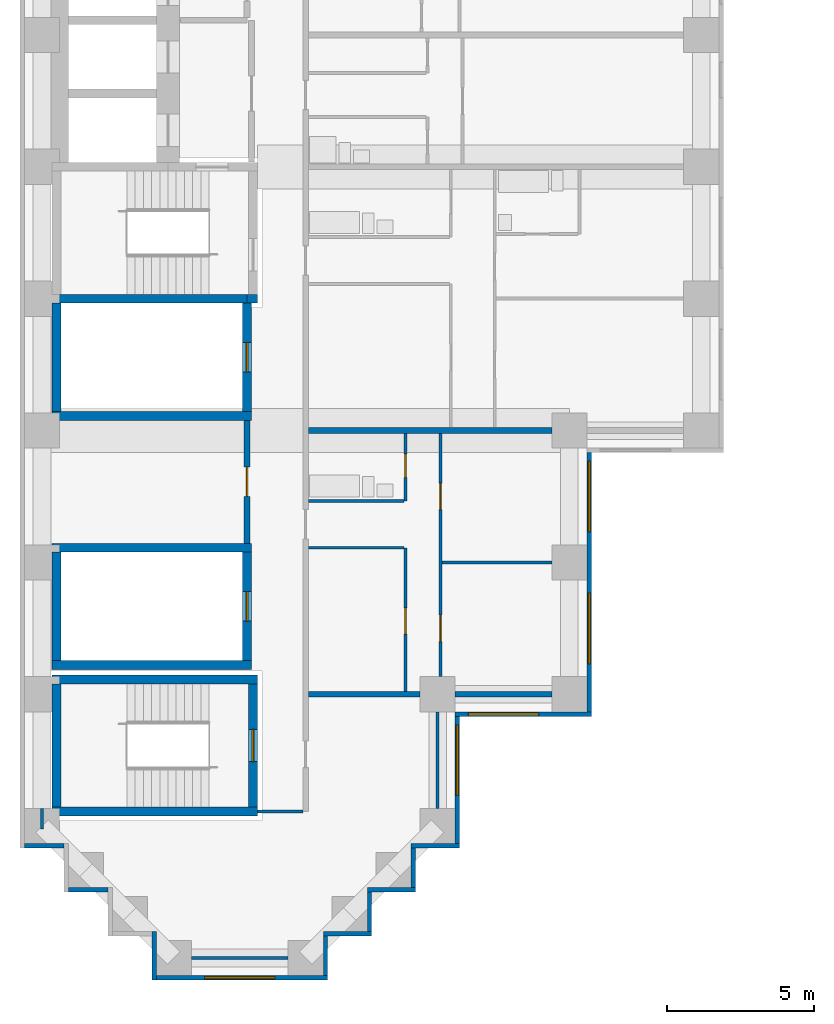
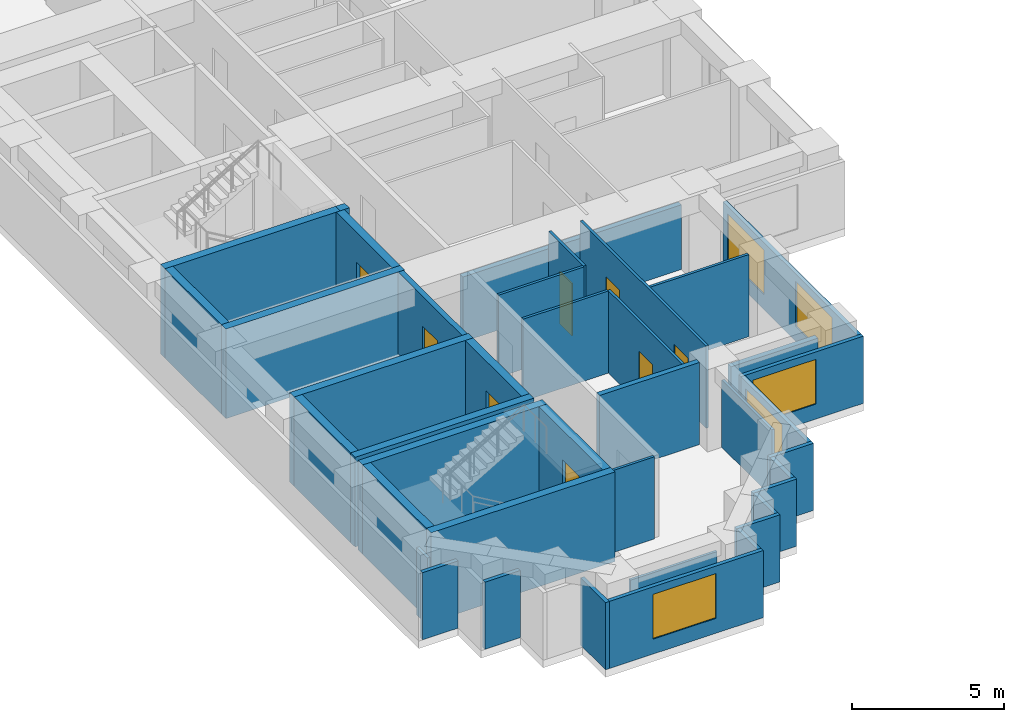
# One storey, part 2 of 11: 40 walls, 8 doors, 5 windows, 13 openings.
"""IFC4 building model written with IfcOpenShell, lengths in metres."""

import ifcopenshell
import ifcopenshell.guid

model = None  # the IFC model being written
_history = None  # IfcOwnerHistory: only IFC2X3 demands one
_inside = {}  # id of a spatial element -> (the spatial element, [elements in it])
_under = {}  # id of a project, library or spatial element -> (it, [spatial elements below it])
_declared = {}  # id of a project -> (the project, [libraries it declares])
_typed = {}  # id of a type object -> (the type object, [elements of that type])
_made_of = {}  # id of a material, layer set ... -> (it, [elements and type objects made of it])


def new_model(schema):
    """Start an empty IFC model of exactly this schema.

    Asked for "IFC4X3", IfcOpenShell would pick the latest addendum, in which some entities
    have other attributes; the version numbers below select the first issue.
    IFC2X3 requires an IfcOwnerHistory on every rooted entity: one is made here for all.
    """
    global model, _history
    if schema == "IFC4X3":
        model = ifcopenshell.file(schema_version=(4, 3, 0, 0))
    else:
        model = ifcopenshell.file(schema=schema)
    _inside.clear()
    _under.clear()
    _declared.clear()
    _typed.clear()
    _made_of.clear()
    _history = None
    if model.schema == "IFC2X3":
        org = make("IfcOrganization", Name="unknown")
        user = make(
            "IfcPersonAndOrganization",
            ThePerson=make("IfcPerson", FamilyName="unknown"),
            TheOrganization=org,
        )
        app = make(
            "IfcApplication",
            ApplicationDeveloper=org,
            Version="unknown",
            ApplicationFullName="unknown",
            ApplicationIdentifier="unknown",
        )
        _history = make(
            "IfcOwnerHistory",
            OwningUser=user,
            OwningApplication=app,
            ChangeAction="ADDED",
            CreationDate=0,
        )
    return model


def make(cls, **values):
    """One entity of the class cls with the attributes given. An attribute that is None is left unset."""
    return model.create_entity(
        cls, **{name: value for name, value in values.items() if value is not None}
    )


def rooted(cls, **values):
    """An entity with a GlobalId (a new one), such as an element, a storey or a relation."""
    return make(cls, GlobalId=ifcopenshell.guid.new(), OwnerHistory=_history, **values)


def si_unit(unit_type, name, prefix=None):
    """IfcSIUnit, for example si_unit("LENGTHUNIT", "METRE", prefix="MILLI")."""
    return make("IfcSIUnit", UnitType=unit_type, Prefix=prefix, Name=name)


def assignment(units):
    """IfcUnitAssignment: the units of a project."""
    return None if units is None else make("IfcUnitAssignment", Units=units)


def point(xyz):
    """IfcCartesianPoint."""
    return None if xyz is None else make("IfcCartesianPoint", Coordinates=xyz)


def direction(xyz):
    """IfcDirection."""
    return None if xyz is None else make("IfcDirection", DirectionRatios=xyz)


def frame(location, z_axis=None, x_axis=None):
    """IfcAxis2Placement3D, a coordinate frame: its origin and axes. An axis left out is left unset."""
    return make(
        "IfcAxis2Placement3D",
        Location=point(location),
        Axis=direction(z_axis),
        RefDirection=direction(x_axis),
    )


def frame_2d(location, x_axis=None):
    """IfcAxis2Placement2D, a coordinate frame in the plane: its origin and x axis."""
    return make(
        "IfcAxis2Placement2D", Location=point(location), RefDirection=direction(x_axis)
    )


def origin():
    """The frame at (0, 0, 0) with its axes left unset."""
    return frame((0.0, 0.0, 0.0))


def place(relative_to, where):
    """IfcLocalPlacement: puts the frame where relative to a parent placement (None: the world)."""
    return make(
        "IfcLocalPlacement", PlacementRelTo=relative_to, RelativePlacement=where
    )


def context(
    kind, dimensions, precision=None, world=None, true_north=None, identifier=None
):
    """IfcGeometricRepresentationContext, for example the 3D "Model" context."""
    return make(
        "IfcGeometricRepresentationContext",
        ContextIdentifier=identifier,
        ContextType=kind,
        CoordinateSpaceDimension=dimensions,
        Precision=precision,
        WorldCoordinateSystem=world,
        TrueNorth=true_north,
    )


def subcontext(parent, identifier, kind, view, scale=None):
    """IfcGeometricRepresentationSubContext, for example "Body" below "Model"."""
    return make(
        "IfcGeometricRepresentationSubContext",
        ContextIdentifier=identifier,
        ContextType=kind,
        ParentContext=parent,
        TargetScale=scale,
        TargetView=view,
    )


def project(units=None, contexts=None):
    """IfcProject with its units and contexts."""
    return rooted(
        "IfcProject",
        Name="project",
        RepresentationContexts=contexts,
        UnitsInContext=assignment(units),
    )


def spatial(cls, under=None, at=None, **own):
    """A site, building, storey or space (cls), placed at a placement, below another one or the project."""
    s = rooted(cls, ObjectPlacement=at, **own)
    if under is not None:
        _under.setdefault(under.id(), (under, []))[1].append(s)
    return s


def profile(cls, at=None, kind="AREA", **sizes):
    """A parametric profile (cls). Its sizes go by their IFC names, for example OverallWidth=200.0."""
    return make(cls, ProfileType=kind, Position=at, **sizes)


def rectangle(**sizes):
    """IfcRectangleProfileDef."""
    return profile("IfcRectangleProfileDef", **sizes)


def extrude(swept, where, along, depth):
    """IfcExtrudedAreaSolid: the profile swept, set in the frame where, extruded along a direction by depth."""
    return make(
        "IfcExtrudedAreaSolid",
        SweptArea=swept,
        Position=where,
        ExtrudedDirection=direction(along),
        Depth=depth,
    )


def shape(context_of_items, identifier, shape_type, items):
    """IfcShapeRepresentation: the items that make up one representation, for example the "Body"."""
    return make(
        "IfcShapeRepresentation",
        ContextOfItems=context_of_items,
        RepresentationIdentifier=identifier,
        RepresentationType=shape_type,
        Items=items,
    )


def material(Name=None, Category=None):
    """IfcMaterial."""
    return make("IfcMaterial", Name=Name, Category=Category)


def layer(
    of_material, thickness, ventilated=None, Name=None, Category=None, Priority=None
):
    """IfcMaterialLayer: one layer of a wall or slab, of a material (None: an air gap)."""
    return make(
        "IfcMaterialLayer",
        Material=of_material,
        LayerThickness=thickness,
        IsVentilated=ventilated,
        Name=Name,
        Category=Category,
        Priority=Priority,
    )


def layer_set(layers, Name=None):
    """IfcMaterialLayerSet."""
    return make("IfcMaterialLayerSet", MaterialLayers=layers, LayerSetName=Name)


def made_of(thing, what):
    """Note that an element or type object is made of a material, layer set ...; save() writes the relation."""
    if what is not None:
        _made_of.setdefault(what.id(), (what, []))[1].append(thing)
    return thing


def type_object(cls, material=None, **own):
    """A type object (cls), such as IfcWallType, which elements share."""
    return made_of(rooted(cls, **own), material)


def element(
    cls,
    number,
    at=None,
    inside=None,
    cuts=None,
    type_object=None,
    material=None,
    context=None,
    identifier="Body",
    shape_type=None,
    held_by="IfcProductDefinitionShape",
    body=None,
    shapes=None,
    **own,
):
    """One element of the class cls, such as IfcWall. Its Tag is "e" and its number.

    at: its placement. inside: the storey or other place that contains it. cuts: it is an
    opening in that element (IfcRelVoidsElement). A single representation is given by context,
    identifier, shape_type and body (its items); several are given by shapes. held_by: the class
    of the entity that holds the representations. save() writes the other relations.
    """
    e = rooted(cls, Tag="e%d" % number, ObjectPlacement=at, **own)
    if body is not None:
        shapes = [shape(context, identifier, shape_type, body)]
    if shapes is not None:
        e.Representation = make(held_by, Representations=shapes)
    if inside is not None:
        _inside.setdefault(inside.id(), (inside, []))[1].append(e)
    if cuts is not None:
        rooted(
            "IfcRelVoidsElement", RelatingBuildingElement=cuts, RelatedOpeningElement=e
        )
    if type_object is not None:
        _typed.setdefault(type_object.id(), (type_object, []))[1].append(e)
    return made_of(e, material)


def fill(opening, filler):
    """IfcRelFillsElement: the door or window that sits in an opening."""
    return rooted(
        "IfcRelFillsElement",
        RelatingOpeningElement=opening,
        RelatedBuildingElement=filler,
    )


def aggregate(whole, parts):
    """IfcRelAggregates: a whole, such as a stair, and the parts it consists of."""
    return rooted("IfcRelAggregates", RelatingObject=whole, RelatedObjects=parts)


def save(model, path):
    """Write the relations noted so far, then the file.

    IfcRelAggregates (storeys below a building ...), IfcRelContainedInSpatialStructure (elements
    in a storey), IfcRelDefinesByType, IfcRelAssociatesMaterial and IfcRelDeclares: one each for
    every whole, place, type object, material and project.
    """
    for whole, parts in _under.values():
        aggregate(whole, parts)
    for where, things in _inside.values():
        rooted(
            "IfcRelContainedInSpatialStructure",
            RelatedElements=things,
            RelatingStructure=where,
        )
    for kind, things in _typed.values():
        rooted("IfcRelDefinesByType", RelatedObjects=things, RelatingType=kind)
    for what, things in _made_of.values():
        rooted("IfcRelAssociatesMaterial", RelatedObjects=things, RelatingMaterial=what)
    for by, libraries in _declared.values():
        rooted("IfcRelDeclares", RelatingContext=by, RelatedDefinitions=libraries)
    model.write(path)


model = new_model("IFC4")

# Units and contexts
model_context = context("Model", 3, precision=1e-05, world=origin(), true_north=direction((0.0, 1.0)))
body_context = subcontext(model_context, "Body", "Model", "MODEL_VIEW")
ifc_project = project(units=[si_unit("LENGTHUNIT", "METRE"), si_unit("AREAUNIT", "SQUARE_METRE"), si_unit("VOLUMEUNIT", "CUBIC_METRE"), si_unit("PLANEANGLEUNIT", "RADIAN"), si_unit("MASSUNIT", "GRAM", prefix="KILO")], contexts=[model_context])

# Site, building, storey
site_placement = place(None, origin())
site = spatial("IfcSite", under=ifc_project, at=site_placement, CompositionType="ELEMENT")
building_placement = place(site_placement, origin())
building = spatial("IfcBuilding", under=site, at=building_placement, Name="Firuza Court", CompositionType="ELEMENT")
storey_placement = place(building_placement, frame((0.0, 0.0, 61.39990234375)))
storey = spatial("IfcBuildingStorey", under=building, at=storey_placement, Name="L14", CompositionType="ELEMENT", Elevation=61.39990234375)

# Walls
ifc_material_1 = material(Name="Moisture-resistant gypsum board partition")
ifc_layer_1 = layer(ifc_material_1, 0.10009765625)
ifc_layer_set_1 = layer_set([ifc_layer_1], Name="Moisture-resistant gypsum board partition")
wall_type_1 = type_object("IfcWallType", Name="Bathroom partition 100", PredefinedType="PLUMBINGWALL", material=ifc_layer_set_1)
wall_1_placement = place(storey_placement, frame((9.10009765625, 15.60009765625, 0.0), z_axis=(0.0, 0.0, 1.0), x_axis=(1.0, 0.0, 0.0)))
element("IfcWall", 1, at=wall_1_placement, inside=storey, type_object=wall_type_1, Name="Bathroom partition 100 L14", PredefinedType="PLUMBINGWALL", context=body_context, shape_type="SweptSolid", body=[
    extrude(rectangle(XDim=3.25, YDim=0.10009765625, at=frame_2d((1.625, 0.0))), origin(), (0.0, 0.0, 1.0), 3.300048828125),
])
ifc_material_2 = material(Name="Concrete C60/75", Category="concrete")
ifc_layer_2 = layer(ifc_material_2, 0.300048828125)
ifc_layer_set_2 = layer_set([ifc_layer_2], Name="Concrete C60/75")
wall_type_2 = type_object("IfcWallType", Name="Core wall 300 C60/75", PredefinedType="SHEAR", material=ifc_layer_set_2)
for number, where, z_axis, x_axis, name in (
    (2, (0.35009765625, 5.0, -0.2998046875), (0.0, 0.0, 1.0), (1.0, 0.0, 0.0), "Core wall stair L14"),
    (3, (0.35009765625, 9.5, -0.2998046875), (0.0, 0.0, 1.0), (1.0, 0.0, 0.0), "Core wall stair L14"),
):
    element("IfcWall", number, at=place(storey_placement, frame(where, z_axis=z_axis, x_axis=x_axis)), inside=storey, type_object=wall_type_2, Name=name, PredefinedType="SHEAR", context=body_context, shape_type="SweptSolid", body=[
        extrude(rectangle(XDim=7.0, YDim=0.300048828125, at=frame_2d((3.5, 0.0))), origin(), (0.0, 0.0, 1.0), 3.599853515625),
    ])
for number, where, z_axis, x_axis, name in (
    (4, (0.35009765625, 10.0, -0.2998046875), (0.0, 0.0, 1.0), (1.0, 0.0, 0.0), "Core wall riser L14"),
    (5, (0.35009765625, 14.0, -0.2998046875), (0.0, 0.0, 1.0), (1.0, 0.0, 0.0), "Core wall riser L14"),
    (6, (0.35009765625, 18.5, -0.2998046875), (0.0, 0.0, 1.0), (1.0, 0.0, 0.0), "Core wall riser L14"),
):
    element("IfcWall", number, at=place(storey_placement, frame(where, z_axis=z_axis, x_axis=x_axis)), inside=storey, type_object=wall_type_2, Name=name, PredefinedType="SHEAR", context=body_context, shape_type="SweptSolid", body=[
        extrude(rectangle(XDim=6.7998046875, YDim=0.300048828125, at=frame_2d((3.39990234375, 0.0))), origin(), (0.0, 0.0, 1.0), 3.599853515625),
    ])
wall_2_placement = place(storey_placement, frame((0.35009765625, 22.5, -0.2998046875), z_axis=(0.0, 0.0, 1.0), x_axis=(1.0, 0.0, 0.0)))
element("IfcWall", 7, at=wall_2_placement, inside=storey, type_object=wall_type_2, Name="Core wall riser L14", PredefinedType="SHEAR", context=body_context, shape_type="SweptSolid", body=[
    extrude(rectangle(XDim=6.64990234375, YDim=0.300048828125, at=frame_2d((3.324951171875, 0.0))), origin(), (0.0, 0.0, 1.0), 3.599853515625),
])
wall_3_placement = place(storey_placement, frame((0.5, 5.14990234375, -0.2998046875), z_axis=(0.0, 0.0, 1.0), x_axis=(0.0, 1.0, 0.0)))
element("IfcWall", 8, at=wall_3_placement, inside=storey, type_object=wall_type_2, Name="Core wall stair L14", PredefinedType="SHEAR", context=body_context, shape_type="SweptSolid", body=[
    extrude(rectangle(XDim=4.2001953125, YDim=0.300048828125, at=frame_2d((2.10009765625, 0.0))), origin(), (0.0, 0.0, 1.0), 3.599853515625),
])
for number, where, z_axis, x_axis, name in (
    (9, (0.5, 10.14990234375, -0.2998046875), (0.0, 0.0, 1.0), (0.0, 1.0, 0.0), "Core wall riser L14"),
    (10, (0.5, 18.64990234375, -0.2998046875), (0.0, 0.0, 1.0), (0.0, 1.0, 0.0), "Core wall riser L14"),
):
    element("IfcWall", number, at=place(storey_placement, frame(where, z_axis=z_axis, x_axis=x_axis)), inside=storey, type_object=wall_type_2, Name=name, PredefinedType="SHEAR", context=body_context, shape_type="SweptSolid", body=[
        extrude(rectangle(XDim=3.7001953125, YDim=0.300048828125, at=frame_2d((1.85009765625, 0.0))), origin(), (0.0, 0.0, 1.0), 3.599853515625),
    ])

# Wall, opening, door
wall_4_placement = place(storey_placement, frame((7.0, 10.14990234375, -0.2998046875), z_axis=(0.0, 0.0, 1.0), x_axis=(0.0, 1.0, 0.0)))
wall_4 = element("IfcWall", 11, at=wall_4_placement, inside=storey, type_object=wall_type_2, Name="Core wall riser L14", PredefinedType="SHEAR", context=body_context, shape_type="SweptSolid", body=[
    extrude(rectangle(XDim=3.7001953125, YDim=0.300048828125, at=frame_2d((1.85009765625, 0.0))), origin(), (0.0, 0.0, 1.0), 3.599853515625),
])
opening_1_placement = place(wall_4_placement, frame((1.35009765625, 0.0, 0.300048828125)))
opening_1 = element("IfcOpeningElement", 12, at=opening_1_placement, cuts=wall_4, Name="Opening D14012", PredefinedType="OPENING", context=body_context, shape_type="SweptSolid", body=[
    extrude(rectangle(XDim=1.0, YDim=2.10009765625, at=frame_2d((0.5, 1.050048828125))), frame((0.0, 0.162109375, 0.0), z_axis=(0.0, -1.0, 0.0), x_axis=(1.0, 0.0, 0.0)), (0.0, 0.0, 1.0), 0.323974609375),
])
ifc_material_3 = material(Name="Timber door leaf in hardwood frame", Category="wood")
door_type_1 = type_object("IfcDoorType", Name="Riser door 1000", OperationType="SINGLE_SWING_LEFT", PredefinedType="DOOR", material=ifc_material_3)
door_1_placement = place(opening_1_placement, origin())
door_1 = element("IfcDoor", 13, at=door_1_placement, inside=storey, type_object=door_type_1, Name="Riser door R4", OperationType="SINGLE_SWING_LEFT", OverallHeight=2.10009765625, OverallWidth=1.0, PredefinedType="DOOR", context=body_context, shape_type="SweptSolid", body=[
    extrude(rectangle(XDim=1.0, YDim=2.10009765625, at=frame_2d((0.5, 1.050048828125))), frame((0.0, 0.02490234375, 0.0), z_axis=(0.0, -1.0, 0.0), x_axis=(1.0, 0.0, 0.0)), (0.0, 0.0, 1.0), 0.050048828125),
])
fill(opening_1, door_1)

wall_5_placement = place(storey_placement, frame((7.0, 18.64990234375, -0.2998046875), z_axis=(0.0, 0.0, 1.0), x_axis=(0.0, 1.0, 0.0)))
wall_5 = element("IfcWall", 14, at=wall_5_placement, inside=storey, type_object=wall_type_2, Name="Core wall riser L14", PredefinedType="SHEAR", context=body_context, shape_type="SweptSolid", body=[
    extrude(rectangle(XDim=3.7001953125, YDim=0.300048828125, at=frame_2d((1.85009765625, 0.0))), origin(), (0.0, 0.0, 1.0), 3.599853515625),
])
opening_2_placement = place(wall_5_placement, frame((1.35009765625, 0.0, 0.300048828125)))
opening_2 = element("IfcOpeningElement", 15, at=opening_2_placement, cuts=wall_5, Name="Opening D14010", PredefinedType="OPENING", context=body_context, shape_type="SweptSolid", body=[
    extrude(rectangle(XDim=1.0, YDim=2.10009765625, at=frame_2d((0.5, 1.050048828125))), frame((0.0, 0.162109375, 0.0), z_axis=(0.0, -1.0, 0.0), x_axis=(1.0, 0.0, 0.0)), (0.0, 0.0, 1.0), 0.323974609375),
])
door_2_placement = place(opening_2_placement, origin())
door_2 = element("IfcDoor", 16, at=door_2_placement, inside=storey, type_object=door_type_1, Name="Riser door R1", OperationType="SINGLE_SWING_LEFT", OverallHeight=2.10009765625, OverallWidth=1.0, PredefinedType="DOOR", context=body_context, shape_type="SweptSolid", body=[
    extrude(rectangle(XDim=1.0, YDim=2.10009765625, at=frame_2d((0.5, 1.050048828125))), frame((0.0, 0.02490234375, 0.0), z_axis=(0.0, -1.0, 0.0), x_axis=(1.0, 0.0, 0.0)), (0.0, 0.0, 1.0), 0.050048828125),
])
fill(opening_2, door_2)

# Wall
wall_6_placement = place(storey_placement, frame((7.0, 22.5, -0.2998046875), z_axis=(0.0, 0.0, 1.0), x_axis=(1.0, 0.0, 0.0)))
element("IfcWall", 17, at=wall_6_placement, inside=storey, type_object=wall_type_2, Name="Core wall stair L14", PredefinedType="SHEAR", context=body_context, shape_type="SweptSolid", body=[
    extrude(rectangle(XDim=0.35009765625, YDim=0.300048828125, at=frame_2d((0.175048828125, 0.0))), origin(), (0.0, 0.0, 1.0), 3.599853515625),
])

# Wall, opening, door
wall_7_placement = place(storey_placement, frame((7.199951171875, 5.14990234375, -0.2998046875), z_axis=(0.0, 0.0, 1.0), x_axis=(0.0, 1.0, 0.0)))
wall_7 = element("IfcWall", 18, at=wall_7_placement, inside=storey, type_object=wall_type_2, Name="Core wall stair L14", PredefinedType="SHEAR", context=body_context, shape_type="SweptSolid", body=[
    extrude(rectangle(XDim=4.2001953125, YDim=0.300048828125, at=frame_2d((2.10009765625, 0.0))), origin(), (0.0, 0.0, 1.0), 3.599853515625),
])
opening_3_placement = place(wall_7_placement, frame((1.550048828125, 0.0, 0.300048828125)))
opening_3 = element("IfcOpeningElement", 19, at=opening_3_placement, cuts=wall_7, Name="Opening D14018", PredefinedType="OPENING", context=body_context, shape_type="SweptSolid", body=[
    extrude(rectangle(XDim=1.10009765625, YDim=2.10009765625, at=frame_2d((0.550048828125, 1.050048828125))), frame((0.0, 0.162109375, 0.0), z_axis=(0.0, -1.0, 0.0), x_axis=(1.0, 0.0, 0.0)), (0.0, 0.0, 1.0), 0.323974609375),
])
ifc_material_4 = material(Name="Timber door leaf in hardwood frame", Category="wood")
door_type_2 = type_object("IfcDoorType", Name="Stair door 1100", OperationType="SINGLE_SWING_LEFT", PredefinedType="DOOR", material=ifc_material_4)
door_3_placement = place(opening_3_placement, origin())
door_3 = element("IfcDoor", 20, at=door_3_placement, inside=storey, type_object=door_type_2, Name="Stair door S5", OperationType="SINGLE_SWING_LEFT", OverallHeight=2.10009765625, OverallWidth=1.10009765625, PredefinedType="DOOR", context=body_context, shape_type="SweptSolid", body=[
    extrude(rectangle(XDim=1.10009765625, YDim=2.10009765625, at=frame_2d((0.550048828125, 1.050048828125))), frame((0.0, 0.02490234375, 0.0), z_axis=(0.0, -1.0, 0.0), x_axis=(1.0, 0.0, 0.0)), (0.0, 0.0, 1.0), 0.050048828125),
])
fill(opening_3, door_3)

ifc_material_5 = material(Name="Blockwork, plastered both sides", Category="masonry")
ifc_layer_3 = layer(ifc_material_5, 0.199951171875)
ifc_layer_set_3 = layer_set([ifc_layer_3], Name="Blockwork, plastered both sides")
wall_type_3 = type_object("IfcWallType", Name="Corridor wall 200", PredefinedType="PARTITIONING", material=ifc_layer_set_3)
wall_8_placement = place(storey_placement, frame((7.0, 14.14990234375, 0.0), z_axis=(0.0, 0.0, 1.0), x_axis=(0.0, 1.0, 0.0)))
wall_8 = element("IfcWall", 21, at=wall_8_placement, inside=storey, type_object=wall_type_3, Name="Corridor wall 200 L14", PredefinedType="PARTITIONING", context=body_context, shape_type="SweptSolid", body=[
    extrude(rectangle(XDim=4.2001953125, YDim=0.199951171875, at=frame_2d((2.10009765625, 0.0))), origin(), (0.0, 0.0, 1.0), 3.300048828125),
])
opening_4_placement = place(wall_8_placement, frame((1.60009765625, 0.0, 0.0)))
opening_4 = element("IfcOpeningElement", 22, at=opening_4_placement, cuts=wall_8, Name="Opening D14028", PredefinedType="OPENING", context=body_context, shape_type="SweptSolid", body=[
    extrude(rectangle(XDim=1.0, YDim=2.10009765625, at=frame_2d((0.5, 1.050048828125))), frame((0.0, 0.11181640625, 0.0), z_axis=(0.0, -1.0, 0.0), x_axis=(1.0, 0.0, 0.0)), (0.0, 0.0, 1.0), 0.223876953125),
])
ifc_material_6 = material(Name="Timber door leaf in hardwood frame", Category="wood")
door_type_3 = type_object("IfcDoorType", Name="Store door 1000", OperationType="SINGLE_SWING_LEFT", PredefinedType="DOOR", material=ifc_material_6)
door_4_placement = place(opening_4_placement, origin())
door_4 = element("IfcDoor", 23, at=door_4_placement, inside=storey, type_object=door_type_3, Name="Cleaner's store door", OperationType="SINGLE_SWING_LEFT", OverallHeight=2.10009765625, OverallWidth=1.0, PredefinedType="DOOR", context=body_context, shape_type="SweptSolid", body=[
    extrude(rectangle(XDim=1.0, YDim=2.10009765625, at=frame_2d((0.5, 1.050048828125))), frame((0.0, 0.02490234375, 0.0), z_axis=(0.0, -1.0, 0.0), x_axis=(1.0, 0.0, 0.0)), (0.0, 0.0, 1.0), 0.050048828125),
])
fill(opening_4, door_4)

# Walls
ifc_material_7 = material(Name="Timber stud partition, plasterboard both sides", Category="wood")
ifc_layer_4 = layer(ifc_material_7, 0.10009765625)
ifc_layer_set_4 = layer_set([ifc_layer_4], Name="Timber stud partition, plasterboard both sides")
wall_type_4 = type_object("IfcWallType", Name="Partition wall 100", PredefinedType="PARTITIONING", material=ifc_layer_set_4)
wall_9_placement = place(storey_placement, frame((5.10009765625, 0.0, 0.0), z_axis=(0.0, 0.0, 1.0), x_axis=(1.0, 0.0, 0.0)))
element("IfcWall", 24, at=wall_9_placement, inside=storey, type_object=wall_type_4, Name="Partition wall 100 L14", PredefinedType="PARTITIONING", context=body_context, shape_type="SweptSolid", body=[
    extrude(rectangle(XDim=3.2998046875, YDim=0.10009765625, at=frame_2d((1.64990234375, 0.0))), origin(), (0.0, 0.0, 1.0), 2.7001953125),
])
wall_10_placement = place(storey_placement, frame((0.0, 4.39990234375, 0.0), z_axis=(0.0, 0.0, 1.0), x_axis=(0.0, 1.0, 0.0)))
element("IfcWall", 25, at=wall_10_placement, inside=storey, type_object=wall_type_4, Name="Partition wall 100 L14", PredefinedType="PARTITIONING", context=body_context, shape_type="SweptSolid", body=[
    extrude(rectangle(XDim=0.7001953125, YDim=0.10009765625, at=frame_2d((0.35009765625, 0.0))), origin(), (0.0, 0.0, 1.0), 2.7001953125),
])
wall_11_placement = place(storey_placement, frame((7.34912109375, 5.0, 0.0), z_axis=(0.0, 0.0, 1.0), x_axis=(1.0, 0.0, 0.0)))
element("IfcWall", 26, at=wall_11_placement, inside=storey, type_object=wall_type_4, Name="Partition wall 100 L14", PredefinedType="PARTITIONING", context=body_context, shape_type="SweptSolid", body=[
    extrude(rectangle(XDim=1.55078125, YDim=0.10009765625, at=frame_2d((0.775390625, 0.0))), origin(), (0.0, 0.0, 1.0), 3.300048828125),
])
wall_12_placement = place(storey_placement, frame((13.5, 5.10009765625, 0.0), z_axis=(0.0, 0.0, 1.0), x_axis=(0.0, 1.0, 0.0)))
element("IfcWall", 27, at=wall_12_placement, inside=storey, type_object=wall_type_4, Name="Partition wall 100 L14", PredefinedType="PARTITIONING", context=body_context, shape_type="SweptSolid", body=[
    extrude(rectangle(XDim=3.2998046875, YDim=0.10009765625, at=frame_2d((1.64990234375, 0.0))), origin(), (0.0, 0.0, 1.0), 2.7001953125),
])

# Wall, opening, door
wall_13_placement = place(storey_placement, frame((12.39990234375, 9.10009765625, 0.0), z_axis=(0.0, 0.0, 1.0), x_axis=(0.0, 1.0, 0.0)))
wall_13 = element("IfcWall", 28, at=wall_13_placement, inside=storey, type_object=wall_type_4, Name="Partition wall 100 L14", PredefinedType="PARTITIONING", context=body_context, shape_type="SweptSolid", body=[
    extrude(rectangle(XDim=4.89990234375, YDim=0.10009765625, at=frame_2d((2.449951171875, 0.0))), origin(), (0.0, 0.0, 1.0), 3.300048828125),
])
opening_5_placement = place(wall_13_placement, frame((1.949951171875, 0.0, 0.0)))
opening_5 = element("IfcOpeningElement", 29, at=opening_5_placement, cuts=wall_13, Name="Opening D14025", PredefinedType="OPENING", context=body_context, shape_type="SweptSolid", body=[
    extrude(rectangle(XDim=0.89990234375, YDim=2.10009765625, at=frame_2d((0.449951171875, 1.050048828125))), frame((0.0, 0.06201171875, 0.0), z_axis=(0.0, -1.0, 0.0), x_axis=(1.0, 0.0, 0.0)), (0.0, 0.0, 1.0), 0.1240234375),
])
ifc_material_8 = material(Name="Timber door leaf in hardwood frame", Category="wood")
door_type_4 = type_object("IfcDoorType", Name="Room door 900", OperationType="SINGLE_SWING_LEFT", PredefinedType="DOOR", material=ifc_material_8)
door_5_placement = place(opening_5_placement, origin())
door_5 = element("IfcDoor", 30, at=door_5_placement, inside=storey, type_object=door_type_4, Name="Kitchen door", OperationType="SINGLE_SWING_LEFT", OverallHeight=2.10009765625, OverallWidth=0.89990234375, PredefinedType="DOOR", context=body_context, shape_type="SweptSolid", body=[
    extrude(rectangle(XDim=0.89990234375, YDim=2.10009765625, at=frame_2d((0.449951171875, 1.050048828125))), frame((0.0, 0.02490234375, 0.0), z_axis=(0.0, -1.0, 0.0), x_axis=(1.0, 0.0, 0.0)), (0.0, 0.0, 1.0), 0.050048828125),
])
fill(opening_5, door_5)

# Wall, openings, doors
wall_14_placement = place(storey_placement, frame((13.60009765625, 9.60009765625, 0.0), z_axis=(0.0, 0.0, 1.0), x_axis=(0.0, 1.0, 0.0)))
wall_14 = element("IfcWall", 31, at=wall_14_placement, inside=storey, type_object=wall_type_4, Name="Partition wall 100 L14", PredefinedType="PARTITIONING", context=body_context, shape_type="SweptSolid", body=[
    extrude(rectangle(XDim=8.2998046875, YDim=0.10009765625, at=frame_2d((4.14990234375, 0.0))), origin(), (0.0, 0.0, 1.0), 3.300048828125),
])
opening_6_placement = place(wall_14_placement, frame((1.199951171875, 0.0, 0.0)))
opening_6 = element("IfcOpeningElement", 32, at=opening_6_placement, cuts=wall_14, Name="Opening D14026", PredefinedType="OPENING", context=body_context, shape_type="SweptSolid", body=[
    extrude(rectangle(XDim=0.89990234375, YDim=2.10009765625, at=frame_2d((0.449951171875, 1.050048828125))), frame((0.0, 0.06201171875, 0.0), z_axis=(0.0, -1.0, 0.0), x_axis=(1.0, 0.0, 0.0)), (0.0, 0.0, 1.0), 0.1240234375),
])
opening_7_placement = place(wall_14_placement, frame((5.699951171875, 0.0, 0.0)))
opening_7 = element("IfcOpeningElement", 33, at=opening_7_placement, cuts=wall_14, Name="Opening D14027", PredefinedType="OPENING", context=body_context, shape_type="SweptSolid", body=[
    extrude(rectangle(XDim=0.89990234375, YDim=2.10009765625, at=frame_2d((0.449951171875, 1.050048828125))), frame((0.0, 0.06201171875, 0.0), z_axis=(0.0, -1.0, 0.0), x_axis=(1.0, 0.0, 0.0)), (0.0, 0.0, 1.0), 0.1240234375),
])
door_6_placement = place(opening_6_placement, frame((0.89990234375, 0.0, 0.0), z_axis=(0.0, 0.0, 1.0), x_axis=(-1.0, 0.0, 0.0)))
door_6 = element("IfcDoor", 34, at=door_6_placement, inside=storey, type_object=door_type_4, Name="Living room door", OperationType="SINGLE_SWING_RIGHT", OverallHeight=2.10009765625, OverallWidth=0.89990234375, PredefinedType="DOOR", context=body_context, shape_type="SweptSolid", body=[
    extrude(rectangle(XDim=0.89990234375, YDim=2.10009765625, at=frame_2d((0.449951171875, 1.050048828125))), frame((0.0, 0.02490234375, 0.0), z_axis=(0.0, -1.0, 0.0), x_axis=(1.0, 0.0, 0.0)), (0.0, 0.0, 1.0), 0.050048828125),
])
fill(opening_6, door_6)
door_7_placement = place(opening_7_placement, frame((0.89990234375, 0.0, 0.0), z_axis=(0.0, 0.0, 1.0), x_axis=(-1.0, 0.0, 0.0)))
door_7 = element("IfcDoor", 35, at=door_7_placement, inside=storey, type_object=door_type_4, Name="Bedroom door", OperationType="SINGLE_SWING_RIGHT", OverallHeight=2.10009765625, OverallWidth=0.89990234375, PredefinedType="DOOR", context=body_context, shape_type="SweptSolid", body=[
    extrude(rectangle(XDim=0.89990234375, YDim=2.10009765625, at=frame_2d((0.449951171875, 1.050048828125))), frame((0.0, 0.02490234375, 0.0), z_axis=(0.0, -1.0, 0.0), x_axis=(1.0, 0.0, 0.0)), (0.0, 0.0, 1.0), 0.050048828125),
])
fill(opening_7, door_7)

# Walls
wall_15_placement = place(storey_placement, frame((13.64990234375, 13.5, 0.0), z_axis=(0.0, 0.0, 1.0), x_axis=(1.0, 0.0, 0.0)))
element("IfcWall", 36, at=wall_15_placement, inside=storey, type_object=wall_type_4, Name="Partition wall 100 L14", PredefinedType="PARTITIONING", context=body_context, shape_type="SweptSolid", body=[
    extrude(rectangle(XDim=3.75, YDim=0.10009765625, at=frame_2d((1.875, 0.0))), origin(), (0.0, 0.0, 1.0), 3.300048828125),
])
wall_16_placement = place(storey_placement, frame((9.10009765625, 14.0, 0.0), z_axis=(0.0, 0.0, 1.0), x_axis=(1.0, 0.0, 0.0)))
element("IfcWall", 37, at=wall_16_placement, inside=storey, type_object=wall_type_4, Name="Partition wall 100 L14", PredefinedType="PARTITIONING", context=body_context, shape_type="SweptSolid", body=[
    extrude(rectangle(XDim=3.25, YDim=0.10009765625, at=frame_2d((1.625, 0.0))), origin(), (0.0, 0.0, 1.0), 3.300048828125),
])

# Wall, opening, door
wall_17_placement = place(storey_placement, frame((12.39990234375, 15.60009765625, 0.0), z_axis=(0.0, 0.0, 1.0), x_axis=(0.0, 1.0, 0.0)))
wall_17 = element("IfcWall", 38, at=wall_17_placement, inside=storey, type_object=wall_type_4, Name="Partition wall 100 L14", PredefinedType="PARTITIONING", context=body_context, shape_type="SweptSolid", body=[
    extrude(rectangle(XDim=2.2998046875, YDim=0.10009765625, at=frame_2d((1.14990234375, 0.0))), origin(), (0.0, 0.0, 1.0), 3.300048828125),
])
opening_8_placement = place(wall_17_placement, frame((0.800048828125, 0.0, 0.0)))
opening_8 = element("IfcOpeningElement", 39, at=opening_8_placement, cuts=wall_17, Name="Opening D14029", PredefinedType="OPENING", context=body_context, shape_type="SweptSolid", body=[
    extrude(rectangle(XDim=0.800048828125, YDim=2.10009765625, at=frame_2d((0.39990234375, 1.050048828125))), frame((0.0, 0.06201171875, 0.0), z_axis=(0.0, -1.0, 0.0), x_axis=(1.0, 0.0, 0.0)), (0.0, 0.0, 1.0), 0.1240234375),
])
ifc_material_9 = material(Name="Timber door leaf in hardwood frame", Category="wood")
door_type_5 = type_object("IfcDoorType", Name="Bathroom door 800", OperationType="SINGLE_SWING_LEFT", PredefinedType="DOOR", material=ifc_material_9)
door_8_placement = place(opening_8_placement, origin())
door_8 = element("IfcDoor", 40, at=door_8_placement, inside=storey, type_object=door_type_5, Name="Bathroom door", OperationType="SINGLE_SWING_LEFT", OverallHeight=2.10009765625, OverallWidth=0.800048828125, PredefinedType="DOOR", context=body_context, shape_type="SweptSolid", body=[
    extrude(rectangle(XDim=0.800048828125, YDim=2.10009765625, at=frame_2d((0.39990234375, 1.050048828125))), frame((0.0, 0.02490234375, 0.0), z_axis=(0.0, -1.0, 0.0), x_axis=(1.0, 0.0, 0.0)), (0.0, 0.0, 1.0), 0.050048828125),
])
fill(opening_8, door_8)

# Walls
ifc_layer_5 = layer(ifc_material_5, 0.199951171875)
ifc_layer_set_5 = layer_set([ifc_layer_5], Name="Blockwork, plastered both sides")
wall_type_5 = type_object("IfcWallType", Name="Party wall 200", PredefinedType="PARTITIONING", material=ifc_layer_set_5)
wall_18_placement = place(storey_placement, frame((9.10009765625, 9.0, 0.0), z_axis=(0.0, 0.0, 1.0), x_axis=(1.0, 0.0, 0.0)))
element("IfcWall", 41, at=wall_18_placement, inside=storey, type_object=wall_type_5, Name="Party wall 200 L14", PredefinedType="PARTITIONING", context=body_context, shape_type="SweptSolid", body=[
    extrude(rectangle(XDim=3.7998046875, YDim=0.199951171875, at=frame_2d((1.89990234375, 0.0))), origin(), (0.0, 0.0, 1.0), 3.300048828125),
])
wall_19_placement = place(storey_placement, frame((14.10009765625, 9.0, 0.0), z_axis=(0.0, 0.0, 1.0), x_axis=(1.0, 0.0, 0.0)))
element("IfcWall", 42, at=wall_19_placement, inside=storey, type_object=wall_type_5, Name="Party wall 200 L14", PredefinedType="PARTITIONING", context=body_context, shape_type="SweptSolid", body=[
    extrude(rectangle(XDim=3.2998046875, YDim=0.199951171875, at=frame_2d((1.64990234375, 0.0))), origin(), (0.0, 0.0, 1.0), 2.7001953125),
])
wall_20_placement = place(storey_placement, frame((9.10009765625, 18.0, 0.0), z_axis=(0.0, 0.0, 1.0), x_axis=(1.0, 0.0, 0.0)))
element("IfcWall", 43, at=wall_20_placement, inside=storey, type_object=wall_type_5, Name="Party wall 200 L14", PredefinedType="PARTITIONING", context=body_context, shape_type="SweptSolid", body=[
    extrude(rectangle(XDim=8.2998046875, YDim=0.199951171875, at=frame_2d((4.14990234375, 0.0))), origin(), (0.0, 0.0, 1.0), 2.60009765625),
])
ifc_material_10 = material(Name="Ceramic tile", Category="ceramic")
ifc_layer_6 = layer(ifc_material_10, 0.02001953125)
ifc_material_11 = material(Name="Mineral wool insulation", Category="insulation")
ifc_layer_7 = layer(ifc_material_11, 0.050048828125)
ifc_material_12 = material(Name="Concrete C40/50 precast", Category="concrete")
ifc_layer_8 = layer(ifc_material_12, 0.080078125)
ifc_layer_set_6 = layer_set([ifc_layer_6, ifc_layer_7, ifc_layer_8], Name="Concrete C40/50 precast")
wall_type_6 = type_object("IfcWallType", Name="Precast cladding wall with turquoise TILE PANEL face 150", PredefinedType="STANDARD", material=ifc_layer_set_6)
wall_21_placement = place(storey_placement, frame((9.675048828125, -0.60009765625, 0.0), z_axis=(0.0, 0.0, 1.0), x_axis=(0.0, 1.0, 0.0)))
element("IfcWall", 44, at=wall_21_placement, inside=storey, type_object=wall_type_6, Name="Facade wall L14 E", PredefinedType="STANDARD", context=body_context, shape_type="SweptSolid", body=[
    extrude(rectangle(XDim=1.35009765625, YDim=0.14990234375, at=frame_2d((0.675048828125, 0.0))), origin(), (0.0, 0.0, 1.0), 2.7001953125),
])
wall_22_placement = place(storey_placement, frame((9.60009765625, 0.824951171875, 0.0), z_axis=(0.0, 0.0, 1.0), x_axis=(1.0, 0.0, 0.0)))
element("IfcWall", 45, at=wall_22_placement, inside=storey, type_object=wall_type_6, Name="Facade wall L14 S", PredefinedType="STANDARD", context=body_context, shape_type="SweptSolid", body=[
    extrude(rectangle(XDim=1.64990234375, YDim=0.14990234375, at=frame_2d((0.824951171875, 0.0))), origin(), (0.0, 0.0, 1.0), 2.7001953125),
])
wall_23_placement = place(storey_placement, frame((11.175048828125, 0.89990234375, 0.0), z_axis=(0.0, 0.0, 1.0), x_axis=(0.0, 1.0, 0.0)))
element("IfcWall", 46, at=wall_23_placement, inside=storey, type_object=wall_type_6, Name="Facade wall L14 E", PredefinedType="STANDARD", context=body_context, shape_type="SweptSolid", body=[
    extrude(rectangle(XDim=1.35009765625, YDim=0.14990234375, at=frame_2d((0.675048828125, 0.0))), origin(), (0.0, 0.0, 1.0), 2.7001953125),
])
wall_24_placement = place(storey_placement, frame((11.10009765625, 2.324951171875, 0.0), z_axis=(0.0, 0.0, 1.0), x_axis=(1.0, 0.0, 0.0)))
element("IfcWall", 47, at=wall_24_placement, inside=storey, type_object=wall_type_6, Name="Facade wall L14 S", PredefinedType="STANDARD", context=body_context, shape_type="SweptSolid", body=[
    extrude(rectangle(XDim=1.64990234375, YDim=0.14990234375, at=frame_2d((0.824951171875, 0.0))), origin(), (0.0, 0.0, 1.0), 2.7001953125),
])
wall_25_placement = place(storey_placement, frame((12.675048828125, 2.39990234375, 0.0), z_axis=(0.0, 0.0, 1.0), x_axis=(0.0, 1.0, 0.0)))
element("IfcWall", 48, at=wall_25_placement, inside=storey, type_object=wall_type_6, Name="Facade wall L14 E", PredefinedType="STANDARD", context=body_context, shape_type="SweptSolid", body=[
    extrude(rectangle(XDim=1.35009765625, YDim=0.14990234375, at=frame_2d((0.675048828125, 0.0))), origin(), (0.0, 0.0, 1.0), 2.7001953125),
])
wall_26_placement = place(storey_placement, frame((12.60009765625, 3.824951171875, 0.0), z_axis=(0.0, 0.0, 1.0), x_axis=(1.0, 0.0, 0.0)))
element("IfcWall", 49, at=wall_26_placement, inside=storey, type_object=wall_type_6, Name="Facade wall L14 S", PredefinedType="STANDARD", context=body_context, shape_type="SweptSolid", body=[
    extrude(rectangle(XDim=1.64990234375, YDim=0.14990234375, at=frame_2d((0.824951171875, 0.0))), origin(), (0.0, 0.0, 1.0), 2.7001953125),
])

# Wall, opening, window
wall_27_placement = place(storey_placement, frame((14.175048828125, 3.89990234375, 0.0), z_axis=(0.0, 0.0, 1.0), x_axis=(0.0, 1.0, 0.0)))
wall_27 = element("IfcWall", 50, at=wall_27_placement, inside=storey, type_object=wall_type_6, Name="Facade wall L14 E", PredefinedType="STANDARD", context=body_context, shape_type="SweptSolid", body=[
    extrude(rectangle(XDim=4.35009765625, YDim=0.14990234375, at=frame_2d((2.175048828125, 0.0))), origin(), (0.0, 0.0, 1.0), 2.7001953125),
])
opening_9_placement = place(wall_27_placement, frame((1.64990234375, 0.0, 0.60009765625)))
opening_9 = element("IfcOpeningElement", 51, at=opening_9_placement, cuts=wall_27, Name="Opening W1", PredefinedType="OPENING", context=body_context, shape_type="SweptSolid", body=[
    extrude(rectangle(XDim=2.39990234375, YDim=1.800048828125, at=frame_2d((1.199951171875, 0.89990234375))), frame((0.0, 0.0869140625, 0.0), z_axis=(0.0, -1.0, 0.0), x_axis=(1.0, 0.0, 0.0)), (0.0, 0.0, 1.0), 0.173828125),
])
ifc_material_13 = material(Name="Aluminium frame, triple clear glazing", Category="aluminium")
window_type = type_object("IfcWindowType", Name="Window W1 2400 x 1800", PartitioningType="SINGLE_PANEL", PredefinedType="WINDOW", material=ifc_material_13)
window_1_placement = place(opening_9_placement, origin())
window_1 = element("IfcWindow", 52, at=window_1_placement, inside=storey, type_object=window_type, Name="Window L14", OverallHeight=1.800048828125, OverallWidth=2.39990234375, PartitioningType="SINGLE_PANEL", PredefinedType="WINDOW", context=body_context, shape_type="SweptSolid", body=[
    extrude(rectangle(XDim=2.39990234375, YDim=1.800048828125, at=frame_2d((1.199951171875, 0.89990234375))), frame((0.0, 0.030029296875, 0.0), z_axis=(0.0, -1.0, 0.0), x_axis=(1.0, 0.0, 0.0)), (0.0, 0.0, 1.0), 0.06005859375),
])
fill(opening_9, window_1)

wall_28_placement = place(storey_placement, frame((14.10009765625, 8.324951171875, 0.0), z_axis=(0.0, 0.0, 1.0), x_axis=(1.0, 0.0, 0.0)))
wall_28 = element("IfcWall", 53, at=wall_28_placement, inside=storey, type_object=wall_type_6, Name="Facade wall L14 S", PredefinedType="STANDARD", context=body_context, shape_type="SweptSolid", body=[
    extrude(rectangle(XDim=4.64990234375, YDim=0.14990234375, at=frame_2d((2.324951171875, 0.0))), origin(), (0.0, 0.0, 1.0), 2.7001953125),
])
opening_10_placement = place(wall_28_placement, frame((0.449951171875, 0.0, 0.60009765625)))
opening_10 = element("IfcOpeningElement", 54, at=opening_10_placement, cuts=wall_28, Name="Opening W1", PredefinedType="OPENING", context=body_context, shape_type="SweptSolid", body=[
    extrude(rectangle(XDim=2.39990234375, YDim=1.800048828125, at=frame_2d((1.199951171875, 0.89990234375))), frame((0.0, 0.0869140625, 0.0), z_axis=(0.0, -1.0, 0.0), x_axis=(1.0, 0.0, 0.0)), (0.0, 0.0, 1.0), 0.173828125),
])
window_2_placement = place(opening_10_placement, origin())
window_2 = element("IfcWindow", 55, at=window_2_placement, inside=storey, type_object=window_type, Name="Window L14", OverallHeight=1.800048828125, OverallWidth=2.39990234375, PartitioningType="SINGLE_PANEL", PredefinedType="WINDOW", context=body_context, shape_type="SweptSolid", body=[
    extrude(rectangle(XDim=2.39990234375, YDim=1.800048828125, at=frame_2d((1.199951171875, 0.89990234375))), frame((0.0, 0.030029296875, 0.0), z_axis=(0.0, -1.0, 0.0), x_axis=(1.0, 0.0, 0.0)), (0.0, 0.0, 1.0), 0.06005859375),
])
fill(opening_10, window_2)

# Wall, openings, windows
wall_29_placement = place(storey_placement, frame((18.675048828125, 8.39990234375, 0.0), z_axis=(0.0, 0.0, 1.0), x_axis=(0.0, 1.0, 0.0)))
wall_29 = element("IfcWall", 56, at=wall_29_placement, inside=storey, type_object=wall_type_6, Name="Facade wall L14 E", PredefinedType="STANDARD", context=body_context, shape_type="SweptSolid", body=[
    extrude(rectangle(XDim=8.85009765625, YDim=0.14990234375, at=frame_2d((4.425048828125, 0.0))), origin(), (0.0, 0.0, 1.0), 2.7001953125),
])
opening_11_placement = place(wall_29_placement, frame((1.64990234375, 0.0, 0.60009765625)))
opening_11 = element("IfcOpeningElement", 57, at=opening_11_placement, cuts=wall_29, Name="Opening W1", PredefinedType="OPENING", context=body_context, shape_type="SweptSolid", body=[
    extrude(rectangle(XDim=2.39990234375, YDim=1.800048828125, at=frame_2d((1.199951171875, 0.89990234375))), frame((0.0, 0.0869140625, 0.0), z_axis=(0.0, -1.0, 0.0), x_axis=(1.0, 0.0, 0.0)), (0.0, 0.0, 1.0), 0.173828125),
])
opening_12_placement = place(wall_29_placement, frame((6.14990234375, 0.0, 0.60009765625)))
opening_12 = element("IfcOpeningElement", 58, at=opening_12_placement, cuts=wall_29, Name="Opening W1", PredefinedType="OPENING", context=body_context, shape_type="SweptSolid", body=[
    extrude(rectangle(XDim=2.39990234375, YDim=1.800048828125, at=frame_2d((1.199951171875, 0.89990234375))), frame((0.0, 0.0869140625, 0.0), z_axis=(0.0, -1.0, 0.0), x_axis=(1.0, 0.0, 0.0)), (0.0, 0.0, 1.0), 0.173828125),
])
window_3_placement = place(opening_11_placement, origin())
window_3 = element("IfcWindow", 59, at=window_3_placement, inside=storey, type_object=window_type, Name="Window L14", OverallHeight=1.800048828125, OverallWidth=2.39990234375, PartitioningType="SINGLE_PANEL", PredefinedType="WINDOW", context=body_context, shape_type="SweptSolid", body=[
    extrude(rectangle(XDim=2.39990234375, YDim=1.800048828125, at=frame_2d((1.199951171875, 0.89990234375))), frame((0.0, 0.030029296875, 0.0), z_axis=(0.0, -1.0, 0.0), x_axis=(1.0, 0.0, 0.0)), (0.0, 0.0, 1.0), 0.06005859375),
])
fill(opening_11, window_3)
window_4_placement = place(opening_12_placement, origin())
window_4 = element("IfcWindow", 60, at=window_4_placement, inside=storey, type_object=window_type, Name="Window L14", OverallHeight=1.800048828125, OverallWidth=2.39990234375, PartitioningType="SINGLE_PANEL", PredefinedType="WINDOW", context=body_context, shape_type="SweptSolid", body=[
    extrude(rectangle(XDim=2.39990234375, YDim=1.800048828125, at=frame_2d((1.199951171875, 0.89990234375))), frame((0.0, 0.030029296875, 0.0), z_axis=(0.0, -1.0, 0.0), x_axis=(1.0, 0.0, 0.0)), (0.0, 0.0, 1.0), 0.06005859375),
])
fill(opening_12, window_4)

# Walls
for number, where, z_axis, x_axis, name in (
    (61, (-0.60009765625, 3.824951171875, 0.0), (0.0, 0.0, 1.0), (1.0, 0.0, 0.0), "Facade wall L14 S"),
    (62, (0.89990234375, 2.324951171875, 0.0), (0.0, 0.0, 1.0), (1.0, 0.0, 0.0), "Facade wall L14 S"),
):
    element("IfcWall", number, at=place(storey_placement, frame(where, z_axis=z_axis, x_axis=x_axis)), inside=storey, type_object=wall_type_6, Name=name, PredefinedType="STANDARD", context=body_context, shape_type="SweptSolid", body=[
        extrude(rectangle(XDim=1.35009765625, YDim=0.14990234375, at=frame_2d((0.675048828125, 0.0))), origin(), (0.0, 0.0, 1.0), 2.7001953125),
    ])
wall_30_placement = place(storey_placement, frame((3.824951171875, 0.89990234375, 0.0), z_axis=(0.0, 0.0, 1.0), x_axis=(0.0, -1.0, 0.0)))
element("IfcWall", 63, at=wall_30_placement, inside=storey, type_object=wall_type_6, Name="Facade wall L14 W", PredefinedType="STANDARD", context=body_context, shape_type="SweptSolid", body=[
    extrude(rectangle(XDim=1.64990234375, YDim=0.14990234375, at=frame_2d((0.824951171875, 0.0))), origin(), (0.0, 0.0, 1.0), 2.7001953125),
])

# Wall, opening, window
wall_31_placement = place(storey_placement, frame((3.89990234375, -0.675048828125, 0.0), z_axis=(0.0, 0.0, 1.0), x_axis=(1.0, 0.0, 0.0)))
wall_31 = element("IfcWall", 64, at=wall_31_placement, inside=storey, type_object=wall_type_6, Name="Facade wall L14 S", PredefinedType="STANDARD", context=body_context, shape_type="SweptSolid", body=[
    extrude(rectangle(XDim=5.85009765625, YDim=0.14990234375, at=frame_2d((2.925048828125, 0.0))), origin(), (0.0, 0.0, 1.0), 2.7001953125),
])
opening_13_placement = place(wall_31_placement, frame((1.64990234375, 0.0, 0.60009765625)))
opening_13 = element("IfcOpeningElement", 65, at=opening_13_placement, cuts=wall_31, Name="Opening W1", PredefinedType="OPENING", context=body_context, shape_type="SweptSolid", body=[
    extrude(rectangle(XDim=2.39990234375, YDim=1.800048828125, at=frame_2d((1.199951171875, 0.89990234375))), frame((0.0, 0.0869140625, 0.0), z_axis=(0.0, -1.0, 0.0), x_axis=(1.0, 0.0, 0.0)), (0.0, 0.0, 1.0), 0.173828125),
])
window_5_placement = place(opening_13_placement, origin())
window_5 = element("IfcWindow", 66, at=window_5_placement, inside=storey, type_object=window_type, Name="Window L14", OverallHeight=1.800048828125, OverallWidth=2.39990234375, PartitioningType="SINGLE_PANEL", PredefinedType="WINDOW", context=body_context, shape_type="SweptSolid", body=[
    extrude(rectangle(XDim=2.39990234375, YDim=1.800048828125, at=frame_2d((1.199951171875, 0.89990234375))), frame((0.0, 0.030029296875, 0.0), z_axis=(0.0, -1.0, 0.0), x_axis=(1.0, 0.0, 0.0)), (0.0, 0.0, 1.0), 0.06005859375),
])
fill(opening_13, window_5)

save(model, "model.ifc")
